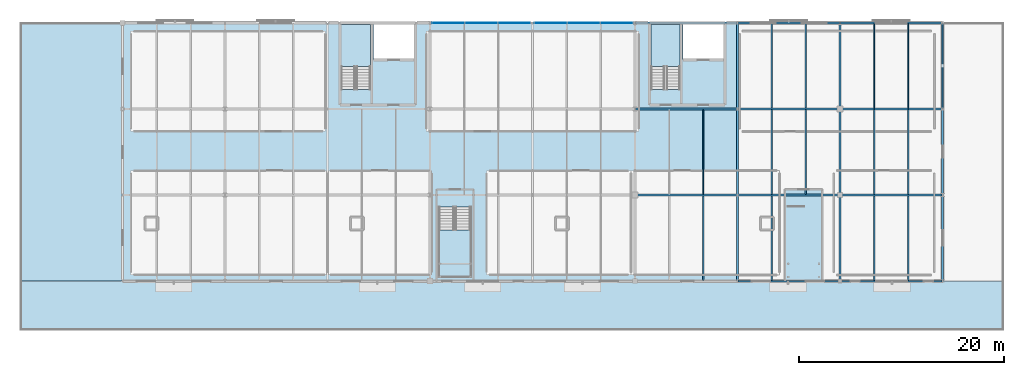
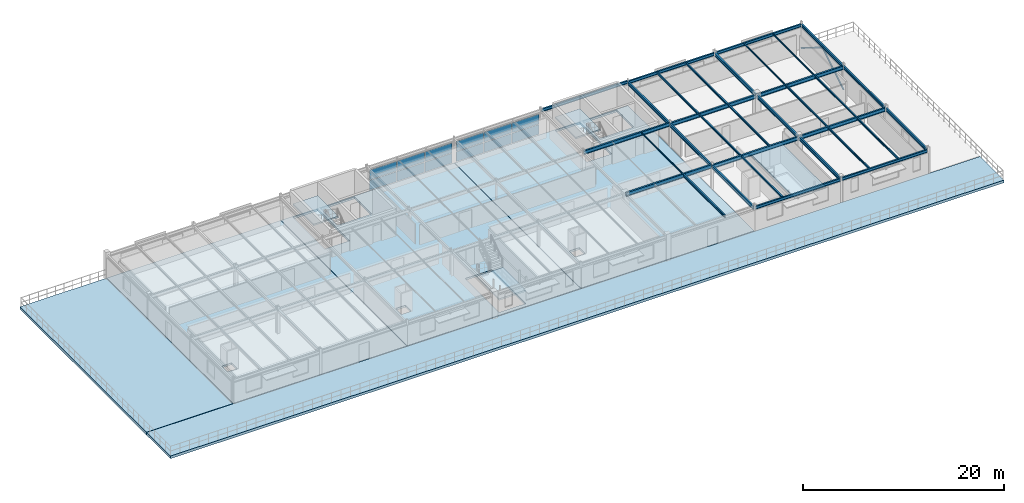
# One storey, part 13 of 23: 33 beams, 12 plates, 9 slabs, 2 members, 5 elements without a shape of their own.
"""IFC4 building model written with IfcOpenShell, lengths in metres."""

from ifc_helpers import new_model, si_unit, derived_unit, direction, frame, origin, origin_2d_with_axis, place, context, subcontext, project, spatial, polyline, rectangle, hollow_rectangle, i_section, outline, extrude, material, layer, layer_set, material_profile, profile_set, type_object, element, aggregate, save


model = new_model("IFC4")

# Units and contexts
model_context = context("Model", 3, precision=1e-05, world=origin(), true_north=direction((0.0, 1.0)))
body_context = subcontext(model_context, "Body", "Model", "MODEL_VIEW")
ifc_project = project(units=[si_unit("LENGTHUNIT", "METRE"), si_unit("AREAUNIT", "SQUARE_METRE"), si_unit("VOLUMEUNIT", "CUBIC_METRE"), si_unit("PLANEANGLEUNIT", "RADIAN"), si_unit("MASSUNIT", "GRAM", prefix="KILO"), derived_unit("THERMALTRANSMITTANCEUNIT", [(si_unit("POWERUNIT", "WATT"), 1), (si_unit("LENGTHUNIT", "METRE"), -2), (si_unit("THERMODYNAMICTEMPERATUREUNIT", "KELVIN"), -1)])], contexts=[model_context])

# Site, building, storey
site_placement = place(None, origin())
site = spatial("IfcSite", under=ifc_project, at=site_placement, CompositionType="ELEMENT")
building_placement = place(site_placement, origin())
building = spatial("IfcBuilding", under=site, at=building_placement, Name="Cinnabar Yard Market Hall", CompositionType="ELEMENT")
storey_placement = place(building_placement, frame((0.0, 0.0, 12.0)))
storey = spatial("IfcBuildingStorey", under=building, at=storey_placement, Name="L03", CompositionType="ELEMENT", Elevation=12.0)

# Beams
ifc_material_1 = material(Name="Steel Grade 300 (300 MPa)", Category="steel")
ifc_material_profile_1 = material_profile(ifc_material_1, i_section(OverallWidth=0.18994140625, OverallDepth=0.453857421875, WebThickness=0.008544921875, FlangeThickness=0.0126953125, FilletRadius=0.011474609375, at=origin_2d_with_axis()), Name="460UB67.1")
ifc_profile_set_1 = profile_set([ifc_material_profile_1], Name="Steel Grade 300 (300 MPa)")
beam_type_1 = type_object("IfcBeamType", Name="BM-B05", PredefinedType="BEAM", material=ifc_profile_set_1)
for number, where, z_axis, x_axis, name in (
    (1, (126.06005859375, 121.199951171875, 2.843017578125), (1.0, 0.0, 0.0), (0.0, 1.0, 0.0), "V3 L03 Girder X 01372"),
    (2, (126.06005859375, 129.60009765625, 2.843017578125), (1.0, 0.0, 0.0), (0.0, 1.0, 0.0), "V3 L03 Girder X 01373"),
    (3, (136.06005859375, 121.199951171875, 2.753173828125), (1.0, 0.0, 0.0), (0.0, 1.0, 0.0), "V3 L03 Girder X 01376"),
    (4, (136.06005859375, 129.60009765625, 2.753173828125), (1.0, 0.0, 0.0), (0.0, 1.0, 0.0), "V3 L03 Girder X 01377"),
    (5, (146.06005859375, 121.199951171875, 2.753173828125), (1.0, 0.0, 0.0), (0.0, 1.0, 0.0), "V3 L03 Girder X 01380"),
    (6, (146.06005859375, 129.60009765625, 2.753173828125), (1.0, 0.0, 0.0), (0.0, 1.0, 0.0), "V3 L03 Girder X 01381"),
):
    element("IfcBeam", number, at=place(storey_placement, frame(where, z_axis=z_axis, x_axis=x_axis)), inside=storey, type_object=beam_type_1, Name=name, PredefinedType="BEAM", context=body_context, shape_type="SweptSolid", body=[
        extrude(i_section(OverallWidth=0.18994140625, OverallDepth=0.453857421875, WebThickness=0.008544921875, FlangeThickness=0.0126953125, FilletRadius=0.011474609375, at=origin_2d_with_axis()), origin(), (0.0, 0.0, 1.0), 9.8798828125),
    ])
ifc_material_profile_2 = material_profile(ifc_material_1, i_section(OverallWidth=0.177978515625, OverallDepth=0.406494140625, WebThickness=0.0078125, FlangeThickness=0.0126953125, FilletRadius=0.011474609375, at=origin_2d_with_axis()), Name="410UB59.7")
ifc_profile_set_2 = profile_set([ifc_material_profile_2], Name="Steel Grade 300 (300 MPa)")
beam_type_2 = type_object("IfcBeamType", Name="BM-B06", PredefinedType="BEAM", material=ifc_profile_set_2)
beam_1_placement = place(storey_placement, frame((136.0, 112.860107421875, 2.77685546875), z_axis=(0.0, 1.0, 0.0), x_axis=(-1.0, 0.0, 0.0)))
element("IfcBeam", 7, at=beam_1_placement, inside=storey, type_object=beam_type_2, Name="V3 L03 Girder Y 01401", PredefinedType="BEAM", context=body_context, shape_type="SweptSolid", body=[
    extrude(i_section(OverallWidth=0.177978515625, OverallDepth=0.406494140625, WebThickness=0.0078125, FlangeThickness=0.0126953125, FilletRadius=0.011474609375, at=origin_2d_with_axis()), origin(), (0.0, 0.0, 1.0), 8.27978515625),
])
for number, where, z_axis, x_axis, name in (
    (8, (136.0, 121.260009765625, 2.77685546875), (0.0, 1.0, 0.0), (-1.0, 0.0, 0.0), "V3 L03 Girder Y 01402"),
    (9, (136.0, 129.659912109375, 2.77685546875), (0.0, 1.0, 0.0), (-1.0, 0.0, 0.0), "V3 L03 Girder Y 01403"),
):
    element("IfcBeam", number, at=place(storey_placement, frame(where, z_axis=z_axis, x_axis=x_axis)), inside=storey, type_object=beam_type_2, Name=name, PredefinedType="BEAM", context=body_context, shape_type="SweptSolid", body=[
        extrude(i_section(OverallWidth=0.177978515625, OverallDepth=0.406494140625, WebThickness=0.0078125, FlangeThickness=0.0126953125, FilletRadius=0.011474609375, at=origin_2d_with_axis()), origin(), (0.0, 0.0, 1.0), 8.280029296875),
    ])
beam_2_placement = place(storey_placement, frame((146.0, 112.860107421875, 2.77685546875), z_axis=(0.0, 1.0, 0.0), x_axis=(-1.0, 0.0, 0.0)))
element("IfcBeam", 10, at=beam_2_placement, inside=storey, type_object=beam_type_2, Name="V3 L03 Girder Y 01404", PredefinedType="BEAM", context=body_context, shape_type="SweptSolid", body=[
    extrude(i_section(OverallWidth=0.177978515625, OverallDepth=0.406494140625, WebThickness=0.0078125, FlangeThickness=0.0126953125, FilletRadius=0.011474609375, at=origin_2d_with_axis()), origin(), (0.0, 0.0, 1.0), 8.27978515625),
])
for number, where, z_axis, x_axis, name in (
    (11, (146.0, 121.260009765625, 2.77685546875), (0.0, 1.0, 0.0), (-1.0, 0.0, 0.0), "V3 L03 Girder Y 01405"),
    (12, (146.0, 129.659912109375, 2.77685546875), (0.0, 1.0, 0.0), (-1.0, 0.0, 0.0), "V3 L03 Girder Y 01406"),
):
    element("IfcBeam", number, at=place(storey_placement, frame(where, z_axis=z_axis, x_axis=x_axis)), inside=storey, type_object=beam_type_2, Name=name, PredefinedType="BEAM", context=body_context, shape_type="SweptSolid", body=[
        extrude(i_section(OverallWidth=0.177978515625, OverallDepth=0.406494140625, WebThickness=0.0078125, FlangeThickness=0.0126953125, FilletRadius=0.011474609375, at=origin_2d_with_axis()), origin(), (0.0, 0.0, 1.0), 8.280029296875),
    ])
ifc_material_profile_3 = material_profile(ifc_material_1, i_section(OverallWidth=0.14599609375, OverallDepth=0.256103515625, WebThickness=0.00634765625, FlangeThickness=0.010986328125, FilletRadius=0.0087890625, at=origin_2d_with_axis()), Name="250UB37.3")
ifc_profile_set_3 = profile_set([ifc_material_profile_3], Name="Steel Grade 300 (300 MPa)")
beam_type_3 = type_object("IfcBeamType", Name="BM-J03", PredefinedType="JOIST", material=ifc_profile_set_3)
beam_3_placement = place(storey_placement, frame((139.333251953125, 112.875, 2.851806640625), z_axis=(0.0, 1.0, 0.0), x_axis=(-1.0, 0.0, 0.0)))
element("IfcBeam", 13, at=beam_3_placement, inside=storey, type_object=beam_type_3, Name="V3 L03 Joist 01441", PredefinedType="JOIST", context=body_context, shape_type="SweptSolid", body=[
    extrude(i_section(OverallWidth=0.14599609375, OverallDepth=0.256103515625, WebThickness=0.00634765625, FlangeThickness=0.010986328125, FilletRadius=0.0087890625, at=origin_2d_with_axis()), origin(), (0.0, 0.0, 1.0), 8.25),
])
ifc_material_profile_4 = material_profile(ifc_material_1, i_section(OverallWidth=0.134033203125, OverallDepth=0.20703125, WebThickness=0.00634765625, FlangeThickness=0.009521484375, FilletRadius=0.0087890625, at=origin_2d_with_axis()), Name="200UB29.8")
ifc_profile_set_4 = profile_set([ifc_material_profile_4], Name="Steel Grade 300 (300 MPa)")
beam_type_4 = type_object("IfcBeamType", Name="BM-J04", PredefinedType="JOIST", material=ifc_profile_set_4)
for number, where, z_axis, x_axis, name in (
    (14, (139.333251953125, 121.27490234375, 2.87646484375), (0.0, 1.0, 0.0), (-1.0, 0.0, 0.0), "V3 L03 Joist 01442"),
    (15, (142.666748046875, 121.27490234375, 2.87646484375), (0.0, 1.0, 0.0), (-1.0, 0.0, 0.0), "V3 L03 Joist 01444"),
):
    element("IfcBeam", number, at=place(storey_placement, frame(where, z_axis=z_axis, x_axis=x_axis)), inside=storey, type_object=beam_type_4, Name=name, PredefinedType="JOIST", context=body_context, shape_type="SweptSolid", body=[
        extrude(i_section(OverallWidth=0.134033203125, OverallDepth=0.20703125, WebThickness=0.00634765625, FlangeThickness=0.009521484375, FilletRadius=0.0087890625, at=origin_2d_with_axis()), origin(), (0.0, 0.0, 1.0), 8.25),
    ])
ifc_material_profile_5 = material_profile(ifc_material_1, i_section(OverallWidth=0.14599609375, OverallDepth=0.251708984375, WebThickness=0.006103515625, FlangeThickness=0.008544921875, FilletRadius=0.0087890625, at=origin_2d_with_axis()), Name="250UB31.4")
ifc_profile_set_5 = profile_set([ifc_material_profile_5], Name="Steel Grade 300 (300 MPa)")
beam_type_5 = type_object("IfcBeamType", Name="BM-J05", PredefinedType="JOIST", material=ifc_profile_set_5)
for number, where, z_axis, x_axis, name in (
    (16, (139.333251953125, 129.675048828125, 2.854248046875), (0.0, 1.0, 0.0), (-1.0, 0.0, 0.0), "V3 L03 Joist 01443"),
    (17, (142.666748046875, 129.675048828125, 2.854248046875), (0.0, 1.0, 0.0), (-1.0, 0.0, 0.0), "V3 L03 Joist 01445"),
):
    element("IfcBeam", number, at=place(storey_placement, frame(where, z_axis=z_axis, x_axis=x_axis)), inside=storey, type_object=beam_type_5, Name=name, PredefinedType="JOIST", context=body_context, shape_type="SweptSolid", body=[
        extrude(i_section(OverallWidth=0.14599609375, OverallDepth=0.251708984375, WebThickness=0.006103515625, FlangeThickness=0.008544921875, FilletRadius=0.0087890625, at=origin_2d_with_axis()), origin(), (0.0, 0.0, 1.0), 8.25),
    ])
ifc_material_profile_6 = material_profile(ifc_material_1, i_section(OverallWidth=0.1240234375, OverallDepth=0.248291015625, WebThickness=0.0048828125, FlangeThickness=0.008056640625, FilletRadius=0.0087890625, at=origin_2d_with_axis()), Name="250UB25.7")
ifc_profile_set_6 = profile_set([ifc_material_profile_6], Name="Steel Grade 300 (300 MPa)")
beam_type_6 = type_object("IfcBeamType", Name="BM-J06", PredefinedType="JOIST", material=ifc_profile_set_6)
for number, where, z_axis, x_axis, name in (
    (18, (149.333251953125, 112.875, 2.855712890625), (0.0, 1.0, 0.0), (-1.0, 0.0, 0.0), "V3 L03 Joist 01446"),
    (19, (152.666748046875, 112.875, 2.855712890625), (0.0, 1.0, 0.0), (-1.0, 0.0, 0.0), "V3 L03 Joist 01449"),
):
    element("IfcBeam", number, at=place(storey_placement, frame(where, z_axis=z_axis, x_axis=x_axis)), inside=storey, type_object=beam_type_6, Name=name, PredefinedType="JOIST", context=body_context, shape_type="SweptSolid", body=[
        extrude(i_section(OverallWidth=0.1240234375, OverallDepth=0.248291015625, WebThickness=0.0048828125, FlangeThickness=0.008056640625, FilletRadius=0.0087890625, at=origin_2d_with_axis()), origin(), (0.0, 0.0, 1.0), 8.25),
    ])
ifc_material_profile_7 = material_profile(ifc_material_1, i_section(OverallWidth=0.133056640625, OverallDepth=0.203125, WebThickness=0.005859375, FlangeThickness=0.0078125, FilletRadius=0.0087890625, at=origin_2d_with_axis()), Name="200UB25.4")
ifc_profile_set_7 = profile_set([ifc_material_profile_7], Name="Steel Grade 300 (300 MPa)")
beam_type_7 = type_object("IfcBeamType", Name="BM-J07", PredefinedType="JOIST", material=ifc_profile_set_7)
for number, where, z_axis, x_axis, name in (
    (20, (149.333251953125, 121.27490234375, 2.87841796875), (0.0, 1.0, 0.0), (-1.0, 0.0, 0.0), "V3 L03 Joist 01447"),
    (21, (152.666748046875, 121.27490234375, 2.87841796875), (0.0, 1.0, 0.0), (-1.0, 0.0, 0.0), "V3 L03 Joist 01450"),
):
    element("IfcBeam", number, at=place(storey_placement, frame(where, z_axis=z_axis, x_axis=x_axis)), inside=storey, type_object=beam_type_7, Name=name, PredefinedType="JOIST", context=body_context, shape_type="SweptSolid", body=[
        extrude(i_section(OverallWidth=0.133056640625, OverallDepth=0.203125, WebThickness=0.005859375, FlangeThickness=0.0078125, FilletRadius=0.0087890625, at=origin_2d_with_axis()), origin(), (0.0, 0.0, 1.0), 8.25),
    ])
ifc_material_profile_8 = material_profile(ifc_material_1, i_section(OverallWidth=0.090087890625, OverallDepth=0.178955078125, WebThickness=0.006103515625, FlangeThickness=0.009521484375, FilletRadius=0.0087890625, at=origin_2d_with_axis()), Name="180UB22.2")
ifc_profile_set_8 = profile_set([ifc_material_profile_8], Name="Steel Grade 300 (300 MPa)")
beam_type_8 = type_object("IfcBeamType", Name="BM-J08", PredefinedType="JOIST", material=ifc_profile_set_8)
for number, where, z_axis, x_axis, name in (
    (22, (149.333251953125, 129.675048828125, 2.890380859375), (0.0, 1.0, 0.0), (-1.0, 0.0, 0.0), "V3 L03 Joist 01448"),
    (23, (152.666748046875, 129.675048828125, 2.890380859375), (0.0, 1.0, 0.0), (-1.0, 0.0, 0.0), "V3 L03 Joist 01451"),
):
    element("IfcBeam", number, at=place(storey_placement, frame(where, z_axis=z_axis, x_axis=x_axis)), inside=storey, type_object=beam_type_8, Name=name, PredefinedType="JOIST", context=body_context, shape_type="SweptSolid", body=[
        extrude(i_section(OverallWidth=0.090087890625, OverallDepth=0.178955078125, WebThickness=0.006103515625, FlangeThickness=0.009521484375, FilletRadius=0.0087890625, at=origin_2d_with_axis()), origin(), (0.0, 0.0, 1.0), 8.25),
    ])
ifc_material_profile_9 = material_profile(ifc_material_1, i_section(OverallWidth=0.14892578125, OverallDepth=0.298095703125, WebThickness=0.005615234375, FlangeThickness=0.008056640625, FilletRadius=0.0087890625, at=origin_2d_with_axis()), Name="310UB32.0")
ifc_profile_set_9 = profile_set([ifc_material_profile_9], Name="Steel Grade 300 (300 MPa)")
beam_type_9 = type_object("IfcBeamType", Name="BM-J17", PredefinedType="JOIST", material=ifc_profile_set_9)
beam_4_placement = place(storey_placement, frame((132.666748046875, 112.875, 2.9208984375), z_axis=(0.0, 1.0, 0.0), x_axis=(-1.0, 0.0, 0.0)))
element("IfcBeam", 24, at=beam_4_placement, inside=storey, type_object=beam_type_9, Name="V3 L03 Joist 01439", PredefinedType="JOIST", context=body_context, shape_type="SweptSolid", body=[
    extrude(i_section(OverallWidth=0.14892578125, OverallDepth=0.298095703125, WebThickness=0.005615234375, FlangeThickness=0.008056640625, FilletRadius=0.0087890625, at=origin_2d_with_axis()), origin(), (0.0, 0.0, 1.0), 8.25),
])
ifc_material_profile_10 = material_profile(ifc_material_1, i_section(OverallWidth=0.074951171875, OverallDepth=0.155029296875, WebThickness=0.006103515625, FlangeThickness=0.009521484375, FilletRadius=0.008056640625, at=origin_2d_with_axis()), Name="150UB18.0")
ifc_profile_set_10 = profile_set([ifc_material_profile_10], Name="Steel Grade 300 (300 MPa)")
beam_type_10 = type_object("IfcBeamType", Name="BM-J18", PredefinedType="JOIST", material=ifc_profile_set_10)
beam_5_placement = place(storey_placement, frame((132.666748046875, 121.27490234375, 2.992431640625), z_axis=(0.0, 1.0, 0.0), x_axis=(-1.0, 0.0, 0.0)))
element("IfcBeam", 25, at=beam_5_placement, inside=storey, type_object=beam_type_10, Name="V3 L03 Joist 01440", PredefinedType="JOIST", context=body_context, shape_type="SweptSolid", body=[
    extrude(i_section(OverallWidth=0.074951171875, OverallDepth=0.155029296875, WebThickness=0.006103515625, FlangeThickness=0.009521484375, FilletRadius=0.008056640625, at=origin_2d_with_axis()), origin(), (0.0, 0.0, 1.0), 8.25),
])
ifc_material_profile_11 = material_profile(ifc_material_1, i_section(OverallWidth=0.172119140625, OverallDepth=0.358642578125, WebThickness=0.008056640625, FlangeThickness=0.012939453125, FilletRadius=0.011474609375, at=origin_2d_with_axis()), Name="360UB56.7")
ifc_profile_set_11 = profile_set([ifc_material_profile_11], Name="Steel Grade 300 (300 MPa)")
beam_type_11 = type_object("IfcBeamType", Name="BM-SP02E", PredefinedType="SPANDREL", material=ifc_profile_set_11)
for number, where, z_axis, x_axis, name in (
    (26, (126.06005859375, 138.0, 2.890625), (1.0, 0.0, 0.0), (0.0, 1.0, 0.0), "V3 L03 Girder X 01374"),
    (27, (136.06005859375, 112.800048828125, 2.80078125), (1.0, 0.0, 0.0), (0.0, 1.0, 0.0), "V3 L03 Girder X 01375"),
    (28, (136.06005859375, 138.0, 2.80078125), (1.0, 0.0, 0.0), (0.0, 1.0, 0.0), "V3 L03 Girder X 01378"),
    (29, (146.06005859375, 112.800048828125, 2.80078125), (1.0, 0.0, 0.0), (0.0, 1.0, 0.0), "V3 L03 Girder X 01379"),
    (30, (146.06005859375, 138.0, 2.80078125), (1.0, 0.0, 0.0), (0.0, 1.0, 0.0), "V3 L03 Girder X 01382"),
):
    element("IfcBeam", number, at=place(storey_placement, frame(where, z_axis=z_axis, x_axis=x_axis)), inside=storey, type_object=beam_type_11, Name=name, PredefinedType="SPANDREL", context=body_context, shape_type="SweptSolid", body=[
        extrude(i_section(OverallWidth=0.172119140625, OverallDepth=0.358642578125, WebThickness=0.008056640625, FlangeThickness=0.012939453125, FilletRadius=0.011474609375, at=origin_2d_with_axis()), origin(), (0.0, 0.0, 1.0), 9.8798828125),
    ])
beam_6_placement = place(storey_placement, frame((156.0, 112.860107421875, 2.80078125), z_axis=(0.0, 1.0, 0.0), x_axis=(-1.0, 0.0, 0.0)))
element("IfcBeam", 31, at=beam_6_placement, inside=storey, type_object=beam_type_11, Name="V3 L03 Girder Y 01407", PredefinedType="SPANDREL", context=body_context, shape_type="SweptSolid", body=[
    extrude(i_section(OverallWidth=0.172119140625, OverallDepth=0.358642578125, WebThickness=0.008056640625, FlangeThickness=0.012939453125, FilletRadius=0.011474609375, at=origin_2d_with_axis()), origin(), (0.0, 0.0, 1.0), 8.27978515625),
])
for number, where, z_axis, x_axis, name in (
    (32, (156.0, 121.260009765625, 2.80078125), (0.0, 1.0, 0.0), (-1.0, 0.0, 0.0), "V3 L03 Girder Y 01408"),
    (33, (156.0, 129.659912109375, 2.80078125), (0.0, 1.0, 0.0), (-1.0, 0.0, 0.0), "V3 L03 Girder Y 01409"),
):
    element("IfcBeam", number, at=place(storey_placement, frame(where, z_axis=z_axis, x_axis=x_axis)), inside=storey, type_object=beam_type_11, Name=name, PredefinedType="SPANDREL", context=body_context, shape_type="SweptSolid", body=[
        extrude(i_section(OverallWidth=0.172119140625, OverallDepth=0.358642578125, WebThickness=0.008056640625, FlangeThickness=0.012939453125, FilletRadius=0.011474609375, at=origin_2d_with_axis()), origin(), (0.0, 0.0, 1.0), 8.280029296875),
    ])

# Members
ifc_material_2 = material(Name="Cold-formed steel C350L0", Category="steel")
ifc_material_profile_12 = material_profile(ifc_material_2, hollow_rectangle(XDim=0.14990234375, YDim=0.14990234375, WallThickness=0.006103515625, InnerFilletRadius=0.006103515625, OuterFilletRadius=0.011962890625, at=origin_2d_with_axis()), Name="150x150x6.0SHS")
ifc_profile_set_12 = profile_set([ifc_material_profile_12], Name="Cold-formed steel C350L0")
member_type = type_object("IfcMemberType", Name="MB-BR02E", PredefinedType="BRACE", material=ifc_profile_set_12)
for number, where, z_axis, x_axis, name in (
    (34, (156.0, 129.60009765625, 0.0), (0.0, 0.85025356003, 0.526373331065), (-1.0, 0.0, 0.0), "Chevron Brace CBF-V3-E3 A"),
    (35, (156.0, 138.0, 0.0), (0.0, -0.85025356003, 0.526373331065), (1.0, 0.0, 0.0), "Chevron Brace CBF-V3-E3 B"),
):
    element("IfcMember", number, at=place(storey_placement, frame(where, z_axis=z_axis, x_axis=x_axis)), inside=storey, type_object=member_type, Name=name, PredefinedType="BRACE", context=body_context, shape_type="SweptSolid", body=[
        extrude(hollow_rectangle(XDim=0.14990234375, YDim=0.14990234375, WallThickness=0.006103515625, InnerFilletRadius=0.006103515625, OuterFilletRadius=0.011962890625, at=origin_2d_with_axis()), origin(), (0.0, 0.0, 1.0), 4.939697265625),
    ])

# Curtain wall, plates
ifc_material_3 = material(Name="Anodised bronze aluminium courtyard facade", Category="aluminium")
curtain_wall_type = type_object("IfcCurtainWallType", Name="CW-CWF097x26", PredefinedType="NOTDEFINED", material=ifc_material_3)
curtain_wall_1_placement = place(storey_placement, origin())
curtain_wall_1 = element("IfcCurtainWall", 36, at=curtain_wall_1_placement, inside=storey, type_object=curtain_wall_type, Name="Wing North Pishtaq Glazing L03 Bay 4", PredefinedType="NOTDEFINED")
ifc_material_4 = material(Name="Low-E laminated glass", Category="glass")
ifc_layer_1 = layer(ifc_material_4, 0.031982421875)
ifc_layer_set_1 = layer_set([ifc_layer_1], Name="Low-E laminated glass")
plate_type_1 = type_object("IfcPlateType", Name="CWP-GP311x120", PredefinedType="CURTAIN_PANEL", material=ifc_layer_set_1)
plate_1_placement = place(storey_placement, frame((114.2080078125, 138.0, 0.0751953125), z_axis=(0.0, 0.0, 1.0), x_axis=(-1.0, 0.0, 0.0)))
plate_1 = element("IfcPlate", 37, at=plate_1_placement, type_object=plate_type_1, Name="CWF097x26 panel 1.1", PredefinedType="CURTAIN_PANEL", context=body_context, shape_type="SweptSolid", body=[
    extrude(rectangle(XDim=3.1142578125, YDim=0.031982421875, at=origin_2d_with_axis()), origin(), (0.0, 0.0, 1.0), 1.197509765625),
])
plate_2_placement = place(storey_placement, frame((114.2080078125, 138.0, 1.34765625), z_axis=(0.0, 0.0, 1.0), x_axis=(-1.0, 0.0, 0.0)))
plate_2 = element("IfcPlate", 38, at=plate_2_placement, type_object=plate_type_1, Name="CWF097x26 panel 1.2", PredefinedType="CURTAIN_PANEL", context=body_context, shape_type="SweptSolid", body=[
    extrude(rectangle(XDim=3.1142578125, YDim=0.031982421875, at=origin_2d_with_axis()), origin(), (0.0, 0.0, 1.0), 1.197509765625),
])
plate_3_placement = place(storey_placement, frame((107.7919921875, 138.0, 0.0751953125), z_axis=(0.0, 0.0, 1.0), x_axis=(-1.0, 0.0, 0.0)))
plate_3 = element("IfcPlate", 39, at=plate_3_placement, type_object=plate_type_1, Name="CWF097x26 panel 3.1", PredefinedType="CURTAIN_PANEL", context=body_context, shape_type="SweptSolid", body=[
    extrude(rectangle(XDim=3.1142578125, YDim=0.031982421875, at=origin_2d_with_axis()), origin(), (0.0, 0.0, 1.0), 1.197509765625),
])
plate_4_placement = place(storey_placement, frame((107.7919921875, 138.0, 1.34765625), z_axis=(0.0, 0.0, 1.0), x_axis=(-1.0, 0.0, 0.0)))
plate_4 = element("IfcPlate", 40, at=plate_4_placement, type_object=plate_type_1, Name="CWF097x26 panel 3.2", PredefinedType="CURTAIN_PANEL", context=body_context, shape_type="SweptSolid", body=[
    extrude(rectangle(XDim=3.1142578125, YDim=0.031982421875, at=origin_2d_with_axis()), origin(), (0.0, 0.0, 1.0), 1.197509765625),
])

curtain_wall_2_placement = place(storey_placement, origin())
curtain_wall_2 = element("IfcCurtainWall", 41, at=curtain_wall_2_placement, inside=storey, type_object=curtain_wall_type, Name="Wing North Pishtaq Glazing L03 Bay 5", PredefinedType="NOTDEFINED")
plate_5_placement = place(storey_placement, frame((124.2080078125, 138.0, 0.0751953125), z_axis=(0.0, 0.0, 1.0), x_axis=(-1.0, 0.0, 0.0)))
plate_5 = element("IfcPlate", 42, at=plate_5_placement, type_object=plate_type_1, Name="CWF097x26 panel 1.1", PredefinedType="CURTAIN_PANEL", context=body_context, shape_type="SweptSolid", body=[
    extrude(rectangle(XDim=3.1142578125, YDim=0.031982421875, at=origin_2d_with_axis()), origin(), (0.0, 0.0, 1.0), 1.197509765625),
])
plate_6_placement = place(storey_placement, frame((124.2080078125, 138.0, 1.34765625), z_axis=(0.0, 0.0, 1.0), x_axis=(-1.0, 0.0, 0.0)))
plate_6 = element("IfcPlate", 43, at=plate_6_placement, type_object=plate_type_1, Name="CWF097x26 panel 1.2", PredefinedType="CURTAIN_PANEL", context=body_context, shape_type="SweptSolid", body=[
    extrude(rectangle(XDim=3.1142578125, YDim=0.031982421875, at=origin_2d_with_axis()), origin(), (0.0, 0.0, 1.0), 1.197509765625),
])
plate_7_placement = place(storey_placement, frame((117.7919921875, 138.0, 0.0751953125), z_axis=(0.0, 0.0, 1.0), x_axis=(-1.0, 0.0, 0.0)))
plate_7 = element("IfcPlate", 44, at=plate_7_placement, type_object=plate_type_1, Name="CWF097x26 panel 3.1", PredefinedType="CURTAIN_PANEL", context=body_context, shape_type="SweptSolid", body=[
    extrude(rectangle(XDim=3.1142578125, YDim=0.031982421875, at=origin_2d_with_axis()), origin(), (0.0, 0.0, 1.0), 1.197509765625),
])
plate_8_placement = place(storey_placement, frame((117.7919921875, 138.0, 1.34765625), z_axis=(0.0, 0.0, 1.0), x_axis=(-1.0, 0.0, 0.0)))
plate_8 = element("IfcPlate", 45, at=plate_8_placement, type_object=plate_type_1, Name="CWF097x26 panel 3.2", PredefinedType="CURTAIN_PANEL", context=body_context, shape_type="SweptSolid", body=[
    extrude(rectangle(XDim=3.1142578125, YDim=0.031982421875, at=origin_2d_with_axis()), origin(), (0.0, 0.0, 1.0), 1.197509765625),
])

# Plate
ifc_layer_2 = layer(ifc_material_4, 0.031982421875)
ifc_layer_set_2 = layer_set([ifc_layer_2], Name="Low-E laminated glass")
plate_type_2 = type_object("IfcPlateType", Name="CWP-GP315x120", PredefinedType="CURTAIN_PANEL", material=ifc_layer_set_2)
plate_9_placement = place(storey_placement, frame((111.0, 138.0, 0.0751953125), z_axis=(0.0, 0.0, 1.0), x_axis=(-1.0, 0.0, 0.0)))
plate_9 = element("IfcPlate", 46, at=plate_9_placement, type_object=plate_type_2, Name="CWF097x26 panel 2.1", PredefinedType="CURTAIN_PANEL", context=body_context, shape_type="SweptSolid", body=[
    extrude(rectangle(XDim=3.151611328125, YDim=0.031982421875, at=origin_2d_with_axis()), origin(), (0.0, 0.0, 1.0), 1.197509765625),
])

plate_10_placement = place(storey_placement, frame((111.0, 138.0, 1.34765625), z_axis=(0.0, 0.0, 1.0), x_axis=(-1.0, 0.0, 0.0)))
plate_10 = element("IfcPlate", 47, at=plate_10_placement, type_object=plate_type_2, Name="CWF097x26 panel 2.2", PredefinedType="CURTAIN_PANEL", context=body_context, shape_type="SweptSolid", body=[
    extrude(rectangle(XDim=3.151611328125, YDim=0.031982421875, at=origin_2d_with_axis()), origin(), (0.0, 0.0, 1.0), 1.197509765625),
])

aggregate(curtain_wall_1, [plate_1, plate_2, plate_9, plate_10, plate_3, plate_4])

plate_11_placement = place(storey_placement, frame((121.0, 138.0, 0.0751953125), z_axis=(0.0, 0.0, 1.0), x_axis=(-1.0, 0.0, 0.0)))
plate_11 = element("IfcPlate", 48, at=plate_11_placement, type_object=plate_type_2, Name="CWF097x26 panel 2.1", PredefinedType="CURTAIN_PANEL", context=body_context, shape_type="SweptSolid", body=[
    extrude(rectangle(XDim=3.151611328125, YDim=0.031982421875, at=origin_2d_with_axis()), origin(), (0.0, 0.0, 1.0), 1.197509765625),
])

plate_12_placement = place(storey_placement, frame((121.0, 138.0, 1.34765625), z_axis=(0.0, 0.0, 1.0), x_axis=(-1.0, 0.0, 0.0)))
plate_12 = element("IfcPlate", 49, at=plate_12_placement, type_object=plate_type_2, Name="CWF097x26 panel 2.2", PredefinedType="CURTAIN_PANEL", context=body_context, shape_type="SweptSolid", body=[
    extrude(rectangle(XDim=3.151611328125, YDim=0.031982421875, at=origin_2d_with_axis()), origin(), (0.0, 0.0, 1.0), 1.197509765625),
])

aggregate(curtain_wall_2, [plate_5, plate_6, plate_11, plate_12, plate_7, plate_8])

# Slabs
ifc_material_5 = material(Name="Concrete 40 MPa", Category="concrete")
ifc_layer_3 = layer(ifc_material_5, 0.239990234375)
ifc_layer_set_3 = layer_set([ifc_layer_3], Name="Concrete 40 MPa")
slab_type_1 = type_object("IfcSlabType", Name="SL-L03", PredefinedType="FLOOR", material=ifc_layer_set_3)
slab_1_placement = place(storey_placement, frame((0.0, 0.0, -0.239990234375)))
element("IfcSlab", 50, at=slab_1_placement, inside=storey, type_object=slab_type_1, Name="L03 Wing Floor Slab Bay 1", PredefinedType="FLOOR", context=body_context, shape_type="SweptSolid", body=[
    extrude(outline(polyline([(76.0, 112.800048828125), (96.0, 112.800048828125), (96.0, 138.0), (76.0, 138.0), (76.0, 112.800048828125)]), holes=[polyline([(78.25, 117.85009765625), (79.39990234375, 117.85009765625), (79.39990234375, 119.0), (78.25, 119.0), (78.25, 117.85009765625)])]), origin(), (0.0, 0.0, 1.0), 0.239990234375),
])
slab_2_placement = place(storey_placement, frame((0.0, 0.0, -0.239990234375)))
element("IfcSlab", 51, at=slab_2_placement, inside=storey, type_object=slab_type_1, Name="L03 Wing Floor Slab Bay 2", PredefinedType="FLOOR", context=body_context, shape_type="SweptSolid", body=[
    extrude(outline(polyline([(96.0400390625, 112.800048828125), (116.0, 112.800048828125), (116.0, 138.0), (96.0400390625, 138.0), (96.0400390625, 112.800048828125)]), holes=[polyline([(98.2900390625, 117.85009765625), (99.43994140625, 117.85009765625), (99.43994140625, 119.0), (98.2900390625, 119.0), (98.2900390625, 117.85009765625)]), polyline([(100.199951171875, 131.5048828125), (100.199951171875, 137.860107421875), (97.340087890625, 137.860107421875), (97.340087890625, 131.5048828125), (100.199951171875, 131.5048828125)]), polyline([(100.5, 134.449951171875), (104.449951171875, 134.449951171875), (104.449951171875, 137.85009765625), (100.5, 137.85009765625), (100.5, 134.449951171875)]), polyline([(106.89990234375, 120.034912109375), (106.89990234375, 113.25), (109.9599609375, 113.25), (109.9599609375, 120.034912109375), (106.89990234375, 120.034912109375)])]), origin(), (0.0, 0.0, 1.0), 0.239990234375),
])
slab_3_placement = place(storey_placement, frame((0.0, 0.0, -0.239990234375)))
element("IfcSlab", 52, at=slab_3_placement, inside=storey, type_object=slab_type_1, Name="L03 Wing Floor Slab Bay 3", PredefinedType="FLOOR", context=body_context, shape_type="SweptSolid", body=[
    extrude(outline(polyline([(116.0400390625, 112.800048828125), (136.0, 112.800048828125), (136.0, 138.0), (116.0400390625, 138.0), (116.0400390625, 112.800048828125)]), holes=[polyline([(118.2900390625, 117.85009765625), (119.43994140625, 117.85009765625), (119.43994140625, 119.0), (118.2900390625, 119.0), (118.2900390625, 117.85009765625)]), polyline([(130.39990234375, 131.5048828125), (130.39990234375, 137.860107421875), (127.5400390625, 137.860107421875), (127.5400390625, 131.5048828125), (130.39990234375, 131.5048828125)]), polyline([(130.699951171875, 134.449951171875), (134.64990234375, 134.449951171875), (134.64990234375, 137.85009765625), (130.699951171875, 137.85009765625), (130.699951171875, 134.449951171875)])]), origin(), (0.0, 0.0, 1.0), 0.239990234375),
])
slab_4_placement = place(storey_placement, frame((0.0, 0.0, 2.239990234375)))
element("IfcSlab", 53, at=slab_4_placement, inside=storey, type_object=slab_type_1, Name="Stair ST-F6 Shaft Cap Slab", PredefinedType="FLOOR", context=body_context, shape_type="SweptSolid", body=[
    extrude(outline(polyline([(140.639892578125, 112.840087890625), (144.260009765625, 112.840087890625), (144.260009765625, 121.760009765625), (140.639892578125, 121.760009765625), (140.639892578125, 112.840087890625)])), origin(), (0.0, 0.0, 1.0), 0.239990234375),
])

# Stair, slab
stair_type_1 = type_object("IfcStairType", Name="ST-CORE", PredefinedType="HALF_TURN_STAIR", material=ifc_material_5)
stair_1_placement = place(storey_placement, origin())
stair_1 = element("IfcStair", 54, at=stair_1_placement, inside=storey, type_object=stair_type_1, Name="L03 Cooking School West Core Stair", PredefinedType="HALF_TURN_STAIR")
ifc_layer_4 = layer(ifc_material_5, 0.199951171875)
ifc_layer_set_4 = layer_set([ifc_layer_4], Name="Concrete 40 MPa")
slab_type_2 = type_object("IfcSlabType", Name="SL-LAND", PredefinedType="LANDING", material=ifc_layer_set_4)
slab_5_placement = place(storey_placement, frame((0.0, 0.0, 1.449951171875)))
slab_5 = element("IfcSlab", 55, at=slab_5_placement, type_object=slab_type_2, Name="ST-C5 landing 1", PredefinedType="LANDING", context=body_context, shape_type="SweptSolid", body=[
    extrude(outline(polyline([(100.199951171875, 133.72998046875), (100.199951171875, 137.860107421875), (97.340087890625, 137.860107421875), (97.340087890625, 133.72998046875), (100.199951171875, 133.72998046875)])), origin(), (0.0, 0.0, 1.0), 0.199951171875),
])
aggregate(stair_1, [slab_5])

stair_2_placement = place(storey_placement, origin())
stair_2 = element("IfcStair", 56, at=stair_2_placement, inside=storey, type_object=stair_type_1, Name="L03 Cooking School East Core Stair", PredefinedType="HALF_TURN_STAIR")
slab_6_placement = place(storey_placement, frame((0.0, 0.0, 1.449951171875)))
slab_6 = element("IfcSlab", 57, at=slab_6_placement, type_object=slab_type_2, Name="ST-C6 landing 1", PredefinedType="LANDING", context=body_context, shape_type="SweptSolid", body=[
    extrude(outline(polyline([(130.39990234375, 133.72998046875), (130.39990234375, 137.860107421875), (127.5400390625, 137.860107421875), (127.5400390625, 133.72998046875), (130.39990234375, 133.72998046875)])), origin(), (0.0, 0.0, 1.0), 0.199951171875),
])
aggregate(stair_2, [slab_6])

ifc_material_6 = material(Name="Spotted gum timber treads on steel Grade 350 (350 MPa)", Category="steel")
stair_type_2 = type_object("IfcStairType", Name="ST-FEAT", PredefinedType="HALF_TURN_STAIR", material=ifc_material_6)
stair_3_placement = place(storey_placement, origin())
stair_3 = element("IfcStair", 58, at=stair_3_placement, inside=storey, type_object=stair_type_2, Name="L03 Feature Stair ST-F4", PredefinedType="HALF_TURN_STAIR")
slab_7_placement = place(storey_placement, frame((0.0, 0.0, 1.449951171875)))
slab_7 = element("IfcSlab", 59, at=slab_7_placement, type_object=slab_type_2, Name="ST-F4 landing 1", PredefinedType="LANDING", context=body_context, shape_type="SweptSolid", body=[
    extrude(outline(polyline([(106.89990234375, 117.81005859375), (106.89990234375, 113.25), (109.9599609375, 113.25), (109.9599609375, 117.81005859375), (106.89990234375, 117.81005859375)])), origin(), (0.0, 0.0, 1.0), 0.199951171875),
])
aggregate(stair_3, [slab_7])

# Slabs
ifc_layer_5 = layer(ifc_material_5, 0.320068359375)
ifc_layer_set_5 = layer_set([ifc_layer_5], Name="Concrete 40 MPa")
slab_type_3 = type_object("IfcSlabType", Name="SL-TERR", PredefinedType="FLOOR", material=ifc_layer_set_5)
slab_8_placement = place(storey_placement, frame((0.0, 0.0, -0.320068359375)))
element("IfcSlab", 60, at=slab_8_placement, inside=storey, type_object=slab_type_3, Name="L03 Culinary Herb Roof Garden Slab", PredefinedType="FLOOR", context=body_context, shape_type="SweptSolid", body=[
    extrude(outline(polyline([(66.0, 108.0), (162.0, 108.0), (162.0, 112.760009765625), (66.0, 112.760009765625), (66.0, 108.0)])), origin(), (0.0, 0.0, 1.0), 0.320068359375),
])
slab_9_placement = place(storey_placement, frame((0.0, 0.0, -0.320068359375)))
element("IfcSlab", 61, at=slab_9_placement, inside=storey, type_object=slab_type_3, Name="L03 West Terrace Slab", PredefinedType="FLOOR", context=body_context, shape_type="SweptSolid", body=[
    extrude(outline(polyline([(66.0, 112.800048828125), (75.9599609375, 112.800048828125), (75.9599609375, 138.0), (66.0, 138.0), (66.0, 112.800048828125)])), origin(), (0.0, 0.0, 1.0), 0.320068359375),
])

save(model, "model.ifc")
